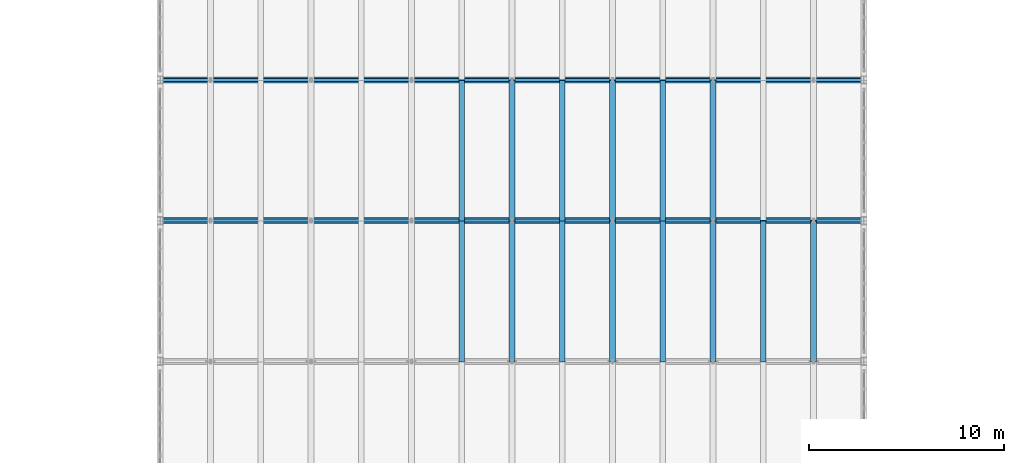
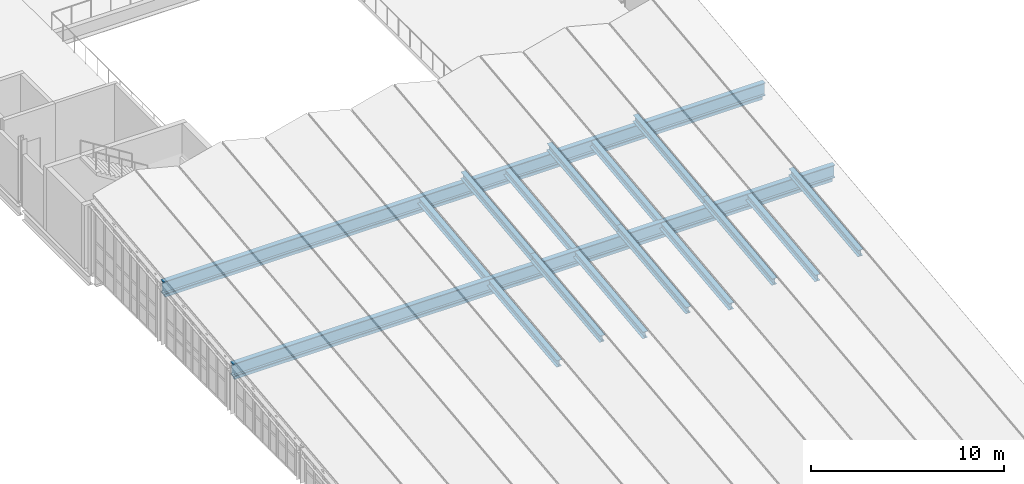
# One storey, part 14 of 48: 16 beams, 2 members.
"""IFC4 building model written with IfcOpenShell, lengths in metres."""

from ifc_helpers import new_model, si_unit, direction, frame, origin, origin_2d, place, context, subcontext, project, spatial, hollow_rectangle, i_section, extrude, material, material_profile, profile_set, type_object, element, save


model = new_model("IFC4")

# Units and contexts
model_context = context("Model", 3, precision=1e-05, world=origin(), true_north=direction((0.0, 1.0)))
body_context = subcontext(model_context, "Body", "Model", "MODEL_VIEW")
ifc_project = project(units=[si_unit("LENGTHUNIT", "METRE"), si_unit("AREAUNIT", "SQUARE_METRE"), si_unit("VOLUMEUNIT", "CUBIC_METRE"), si_unit("PLANEANGLEUNIT", "RADIAN"), si_unit("MASSUNIT", "GRAM", prefix="KILO"), si_unit("THERMODYNAMICTEMPERATUREUNIT", "KELVIN"), si_unit("POWERUNIT", "WATT")], contexts=[model_context])

# Site, building, storey
site_placement = place(None, origin())
site = spatial("IfcSite", under=ifc_project, at=site_placement, CompositionType="ELEMENT")
building_placement = place(site_placement, origin())
building = spatial("IfcBuilding", under=site, at=building_placement, Name="Kaldorven Railside Theatre", CompositionType="ELEMENT")
storey_placement = place(building_placement, frame((0.0, 0.0, 18.89990234375)))
storey = spatial("IfcBuildingStorey", under=building, at=storey_placement, Name="L04", CompositionType="ELEMENT", Elevation=18.89990234375)

# Beams
ifc_material = material(Name="Steel S355", Category="steel")
ifc_material_profile_1 = material_profile(ifc_material, i_section(OverallWidth=0.300048828125, OverallDepth=0.449951171875, WebThickness=0.013916015625, FlangeThickness=0.02587890625, at=origin_2d()), Name="HEB 450")
ifc_profile_set_1 = profile_set([ifc_material_profile_1], Name="Steel S355")
beam_type_1 = type_object("IfcBeamType", Name="BM-HEB450", PredefinedType="BEAM", material=ifc_profile_set_1)
beam_1_placement = place(storey_placement, frame((102.628662109375, 62.39990234375, 2.00439453125), z_axis=(0.0, 0.993576360175, 0.113163671295), x_axis=(-1.0, 0.0, 0.0)))
element("IfcBeam", 1, at=beam_1_placement, inside=storey, type_object=beam_type_1, Name="V1 Folded-Plate Valley Girder VB-045", PredefinedType="BEAM", context=body_context, shape_type="SweptSolid", body=[
    extrude(i_section(OverallWidth=0.300048828125, OverallDepth=0.449951171875, WebThickness=0.013916015625, FlangeThickness=0.02587890625, at=origin_2d()), origin(), (0.0, 0.0, 1.0), 7.246826171875),
])
beam_2_placement = place(storey_placement, frame((102.628662109375, 69.60009765625, 2.824462890625), z_axis=(0.0, 0.993579716392, 0.113134199846), x_axis=(-1.0, 0.0, 0.0)))
element("IfcBeam", 2, at=beam_2_placement, inside=storey, type_object=beam_type_1, Name="V1 Folded-Plate Valley Girder VB-046", PredefinedType="BEAM", context=body_context, shape_type="SweptSolid", body=[
    extrude(i_section(OverallWidth=0.300048828125, OverallDepth=0.449951171875, WebThickness=0.013916015625, FlangeThickness=0.02587890625, at=origin_2d()), origin(), (0.0, 0.0, 1.0), 7.24658203125),
])
beam_3_placement = place(storey_placement, frame((105.199951171875, 62.39990234375, 2.66943359375), z_axis=(0.0, 0.993576360175, 0.113163671295), x_axis=(-1.0, 0.0, 0.0)))
element("IfcBeam", 3, at=beam_3_placement, inside=storey, type_object=beam_type_1, Name="V1 Folded-Plate Ridge Girder RB-051", PredefinedType="BEAM", context=body_context, shape_type="SweptSolid", body=[
    extrude(i_section(OverallWidth=0.300048828125, OverallDepth=0.449951171875, WebThickness=0.013916015625, FlangeThickness=0.02587890625, at=origin_2d()), origin(), (0.0, 0.0, 1.0), 7.246826171875),
])
beam_4_placement = place(storey_placement, frame((105.199951171875, 69.60009765625, 3.489501953125), z_axis=(0.0, 0.993579716392, 0.113134199846), x_axis=(-1.0, 0.0, 0.0)))
element("IfcBeam", 4, at=beam_4_placement, inside=storey, type_object=beam_type_1, Name="V1 Folded-Plate Ridge Girder RB-052", PredefinedType="BEAM", context=body_context, shape_type="SweptSolid", body=[
    extrude(i_section(OverallWidth=0.300048828125, OverallDepth=0.449951171875, WebThickness=0.013916015625, FlangeThickness=0.02587890625, at=origin_2d()), origin(), (0.0, 0.0, 1.0), 7.24658203125),
])
beam_5_placement = place(storey_placement, frame((107.771484375, 62.39990234375, 2.00439453125), z_axis=(0.0, 0.993576360175, 0.113163671295), x_axis=(-1.0, 0.0, 0.0)))
element("IfcBeam", 5, at=beam_5_placement, inside=storey, type_object=beam_type_1, Name="V1 Folded-Plate Valley Girder VB-057", PredefinedType="BEAM", context=body_context, shape_type="SweptSolid", body=[
    extrude(i_section(OverallWidth=0.300048828125, OverallDepth=0.449951171875, WebThickness=0.013916015625, FlangeThickness=0.02587890625, at=origin_2d()), origin(), (0.0, 0.0, 1.0), 7.246826171875),
])
beam_6_placement = place(storey_placement, frame((107.771484375, 69.60009765625, 2.824462890625), z_axis=(0.0, 0.993579716392, 0.113134199846), x_axis=(-1.0, 0.0, 0.0)))
element("IfcBeam", 6, at=beam_6_placement, inside=storey, type_object=beam_type_1, Name="V1 Folded-Plate Valley Girder VB-058", PredefinedType="BEAM", context=body_context, shape_type="SweptSolid", body=[
    extrude(i_section(OverallWidth=0.300048828125, OverallDepth=0.449951171875, WebThickness=0.013916015625, FlangeThickness=0.02587890625, at=origin_2d()), origin(), (0.0, 0.0, 1.0), 7.24658203125),
])
beam_7_placement = place(storey_placement, frame((110.3427734375, 62.39990234375, 2.66943359375), z_axis=(0.0, 0.993576360175, 0.113163671295), x_axis=(-1.0, 0.0, 0.0)))
element("IfcBeam", 7, at=beam_7_placement, inside=storey, type_object=beam_type_1, Name="V1 Folded-Plate Ridge Girder RB-063", PredefinedType="BEAM", context=body_context, shape_type="SweptSolid", body=[
    extrude(i_section(OverallWidth=0.300048828125, OverallDepth=0.449951171875, WebThickness=0.013916015625, FlangeThickness=0.02587890625, at=origin_2d()), origin(), (0.0, 0.0, 1.0), 7.246826171875),
])
beam_8_placement = place(storey_placement, frame((110.3427734375, 69.60009765625, 3.489501953125), z_axis=(0.0, 0.993579716392, 0.113134199846), x_axis=(-1.0, 0.0, 0.0)))
element("IfcBeam", 8, at=beam_8_placement, inside=storey, type_object=beam_type_1, Name="V1 Folded-Plate Ridge Girder RB-064", PredefinedType="BEAM", context=body_context, shape_type="SweptSolid", body=[
    extrude(i_section(OverallWidth=0.300048828125, OverallDepth=0.449951171875, WebThickness=0.013916015625, FlangeThickness=0.02587890625, at=origin_2d()), origin(), (0.0, 0.0, 1.0), 7.24658203125),
])
beam_9_placement = place(storey_placement, frame((112.914306640625, 62.39990234375, 2.00439453125), z_axis=(0.0, 0.993576360175, 0.113163671295), x_axis=(-1.0, 0.0, 0.0)))
element("IfcBeam", 9, at=beam_9_placement, inside=storey, type_object=beam_type_1, Name="V1 Folded-Plate Valley Girder VB-069", PredefinedType="BEAM", context=body_context, shape_type="SweptSolid", body=[
    extrude(i_section(OverallWidth=0.300048828125, OverallDepth=0.449951171875, WebThickness=0.013916015625, FlangeThickness=0.02587890625, at=origin_2d()), origin(), (0.0, 0.0, 1.0), 7.246826171875),
])
beam_10_placement = place(storey_placement, frame((112.914306640625, 69.60009765625, 2.824462890625), z_axis=(0.0, 0.993579716392, 0.113134199846), x_axis=(-1.0, 0.0, 0.0)))
element("IfcBeam", 10, at=beam_10_placement, inside=storey, type_object=beam_type_1, Name="V1 Folded-Plate Valley Girder VB-070", PredefinedType="BEAM", context=body_context, shape_type="SweptSolid", body=[
    extrude(i_section(OverallWidth=0.300048828125, OverallDepth=0.449951171875, WebThickness=0.013916015625, FlangeThickness=0.02587890625, at=origin_2d()), origin(), (0.0, 0.0, 1.0), 7.24658203125),
])
beam_11_placement = place(storey_placement, frame((115.485595703125, 62.39990234375, 2.66943359375), z_axis=(0.0, 0.993576360175, 0.113163671295), x_axis=(-1.0, 0.0, 0.0)))
element("IfcBeam", 11, at=beam_11_placement, inside=storey, type_object=beam_type_1, Name="V1 Folded-Plate Ridge Girder RB-075", PredefinedType="BEAM", context=body_context, shape_type="SweptSolid", body=[
    extrude(i_section(OverallWidth=0.300048828125, OverallDepth=0.449951171875, WebThickness=0.013916015625, FlangeThickness=0.02587890625, at=origin_2d()), origin(), (0.0, 0.0, 1.0), 7.246826171875),
])
beam_12_placement = place(storey_placement, frame((115.485595703125, 69.60009765625, 3.489501953125), z_axis=(0.0, 0.993579716392, 0.113134199846), x_axis=(-1.0, 0.0, 0.0)))
element("IfcBeam", 12, at=beam_12_placement, inside=storey, type_object=beam_type_1, Name="V1 Folded-Plate Ridge Girder RB-076", PredefinedType="BEAM", context=body_context, shape_type="SweptSolid", body=[
    extrude(i_section(OverallWidth=0.300048828125, OverallDepth=0.449951171875, WebThickness=0.013916015625, FlangeThickness=0.02587890625, at=origin_2d()), origin(), (0.0, 0.0, 1.0), 7.24658203125),
])
for number, where, z_axis, x_axis, name in (
    (13, (118.05712890625, 62.39990234375, 2.00439453125), (0.0, 0.993576360175, 0.113163671295), (-1.0, 0.0, 0.0), "V1 Folded-Plate Valley Girder VB-081"),
    (14, (120.62841796875, 62.39990234375, 2.66943359375), (0.0, 0.993576360175, 0.113163671295), (-1.0, 0.0, 0.0), "V1 Folded-Plate Ridge Girder RB-087"),
):
    element("IfcBeam", number, at=place(storey_placement, frame(where, z_axis=z_axis, x_axis=x_axis)), inside=storey, type_object=beam_type_1, Name=name, PredefinedType="BEAM", context=body_context, shape_type="SweptSolid", body=[
        extrude(i_section(OverallWidth=0.300048828125, OverallDepth=0.449951171875, WebThickness=0.013916015625, FlangeThickness=0.02587890625, at=origin_2d()), origin(), (0.0, 0.0, 1.0), 7.246826171875),
    ])
ifc_material_profile_2 = material_profile(ifc_material, i_section(OverallWidth=0.300048828125, OverallDepth=0.800048828125, WebThickness=0.017578125, FlangeThickness=0.032958984375, at=origin_2d()), Name="HEB 800")
ifc_profile_set_2 = profile_set([ifc_material_profile_2], Name="Steel S355")
beam_type_2 = type_object("IfcBeamType", Name="BM-HEB800", PredefinedType="USERDEFINED", material=ifc_profile_set_2)
for number, where, z_axis, x_axis, name in (
    (15, (87.219970703125, 69.60009765625, 2.663818359375), (1.0, 0.0, 0.0), (0.0, 1.0, 0.0), "V1 Folded-Plate Transverse Truss Girder RTG-004"),
    (16, (87.219970703125, 76.800048828125, 3.48388671875), (1.0, 0.0, 0.0), (0.0, 1.0, 0.0), "V1 Folded-Plate Transverse Truss Girder RTG-005"),
):
    element("IfcBeam", number, at=place(storey_placement, frame(where, z_axis=z_axis, x_axis=x_axis)), inside=storey, type_object=beam_type_2, Name=name, ObjectType="ROOF TRUSS", PredefinedType="USERDEFINED", context=body_context, shape_type="SweptSolid", body=[
        extrude(i_section(OverallWidth=0.300048828125, OverallDepth=0.800048828125, WebThickness=0.017578125, FlangeThickness=0.032958984375, at=origin_2d()), origin(), (0.0, 0.0, 1.0), 35.9599609375),
    ])

# Members
ifc_material_profile_3 = material_profile(ifc_material, hollow_rectangle(XDim=0.14990234375, YDim=0.25, WallThickness=0.010009765625, at=origin_2d()), Name="RHS 250x150x10")
ifc_profile_set_3 = profile_set([ifc_material_profile_3], Name="Steel S355")
member_type = type_object("IfcMemberType", Name="MEM-RHS250", PredefinedType="CHORD", material=ifc_profile_set_3)
for number, where, z_axis, x_axis, name in (
    (17, (87.35009765625, 69.60009765625, 2.138916015625), (1.0, 0.0, 0.0), (0.0, 1.0, 0.0), "V1 Roof Truss Tie Chord CHD-004"),
    (18, (87.35009765625, 76.800048828125, 2.958740234375), (1.0, 0.0, 0.0), (0.0, 1.0, 0.0), "V1 Roof Truss Tie Chord CHD-005"),
):
    element("IfcMember", number, at=place(storey_placement, frame(where, z_axis=z_axis, x_axis=x_axis)), inside=storey, type_object=member_type, Name=name, PredefinedType="CHORD", context=body_context, shape_type="SweptSolid", body=[
        extrude(hollow_rectangle(XDim=0.14990234375, YDim=0.25, WallThickness=0.010009765625, at=origin_2d()), origin(), (0.0, 0.0, 1.0), 35.699951171875),
    ])

save(model, "model.ifc")
